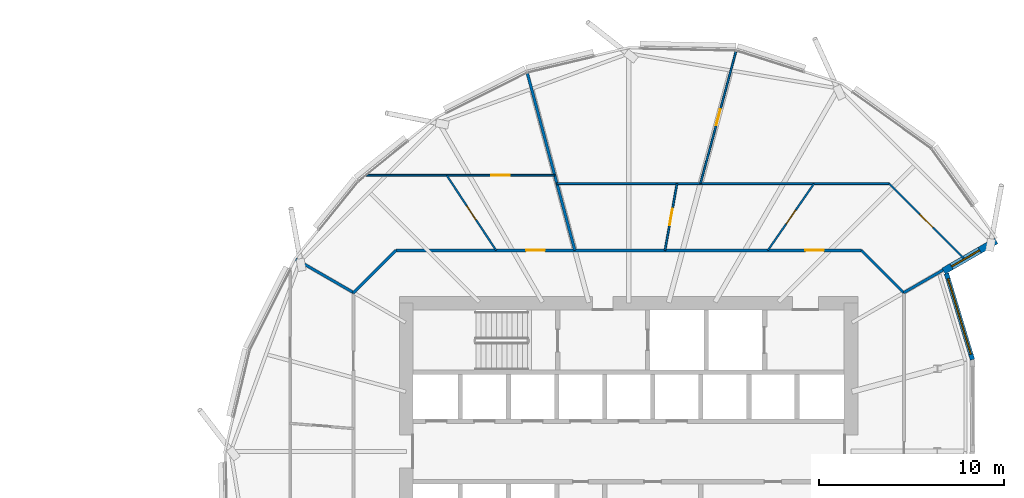
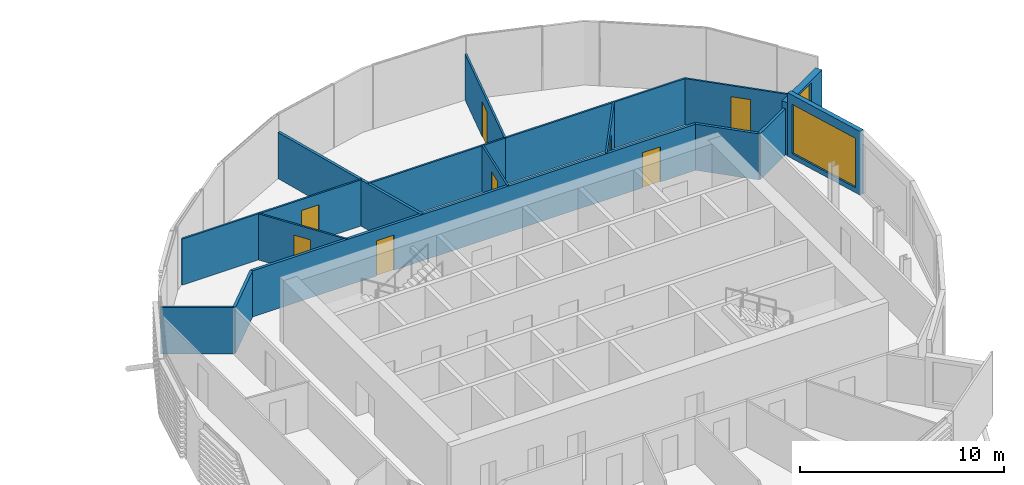
# One storey, part 25 of 38: 16 walls, 8 doors, 2 windows, 10 openings.
"""IFC4 building model written with IfcOpenShell, lengths in metres."""

import ifcopenshell
import ifcopenshell.guid

model = None  # the IFC model being written
_history = None  # IfcOwnerHistory: only IFC2X3 demands one
_inside = {}  # id of a spatial element -> (the spatial element, [elements in it])
_under = {}  # id of a project, library or spatial element -> (it, [spatial elements below it])
_declared = {}  # id of a project -> (the project, [libraries it declares])
_typed = {}  # id of a type object -> (the type object, [elements of that type])
_made_of = {}  # id of a material, layer set ... -> (it, [elements and type objects made of it])


def new_model(schema):
    """Start an empty IFC model of exactly this schema.

    Asked for "IFC4X3", IfcOpenShell would pick the latest addendum, in which some entities
    have other attributes; the version numbers below select the first issue.
    IFC2X3 requires an IfcOwnerHistory on every rooted entity: one is made here for all.
    """
    global model, _history
    if schema == "IFC4X3":
        model = ifcopenshell.file(schema_version=(4, 3, 0, 0))
    else:
        model = ifcopenshell.file(schema=schema)
    _inside.clear()
    _under.clear()
    _declared.clear()
    _typed.clear()
    _made_of.clear()
    _history = None
    if model.schema == "IFC2X3":
        org = make("IfcOrganization", Name="unknown")
        user = make(
            "IfcPersonAndOrganization",
            ThePerson=make("IfcPerson", FamilyName="unknown"),
            TheOrganization=org,
        )
        app = make(
            "IfcApplication",
            ApplicationDeveloper=org,
            Version="unknown",
            ApplicationFullName="unknown",
            ApplicationIdentifier="unknown",
        )
        _history = make(
            "IfcOwnerHistory",
            OwningUser=user,
            OwningApplication=app,
            ChangeAction="ADDED",
            CreationDate=0,
        )
    return model


def make(cls, **values):
    """One entity of the class cls with the attributes given. An attribute that is None is left unset."""
    return model.create_entity(
        cls, **{name: value for name, value in values.items() if value is not None}
    )


def rooted(cls, **values):
    """An entity with a GlobalId (a new one), such as an element, a storey or a relation."""
    return make(cls, GlobalId=ifcopenshell.guid.new(), OwnerHistory=_history, **values)


def si_unit(unit_type, name, prefix=None):
    """IfcSIUnit, for example si_unit("LENGTHUNIT", "METRE", prefix="MILLI")."""
    return make("IfcSIUnit", UnitType=unit_type, Prefix=prefix, Name=name)


def assignment(units):
    """IfcUnitAssignment: the units of a project."""
    return None if units is None else make("IfcUnitAssignment", Units=units)


def point(xyz):
    """IfcCartesianPoint."""
    return None if xyz is None else make("IfcCartesianPoint", Coordinates=xyz)


def direction(xyz):
    """IfcDirection."""
    return None if xyz is None else make("IfcDirection", DirectionRatios=xyz)


def frame(location, z_axis=None, x_axis=None):
    """IfcAxis2Placement3D, a coordinate frame: its origin and axes. An axis left out is left unset."""
    return make(
        "IfcAxis2Placement3D",
        Location=point(location),
        Axis=direction(z_axis),
        RefDirection=direction(x_axis),
    )


def frame_2d(location, x_axis=None):
    """IfcAxis2Placement2D, a coordinate frame in the plane: its origin and x axis."""
    return make(
        "IfcAxis2Placement2D", Location=point(location), RefDirection=direction(x_axis)
    )


def origin():
    """The frame at (0, 0, 0) with its axes left unset."""
    return frame((0.0, 0.0, 0.0))


def place(relative_to, where):
    """IfcLocalPlacement: puts the frame where relative to a parent placement (None: the world)."""
    return make(
        "IfcLocalPlacement", PlacementRelTo=relative_to, RelativePlacement=where
    )


def context(
    kind, dimensions, precision=None, world=None, true_north=None, identifier=None
):
    """IfcGeometricRepresentationContext, for example the 3D "Model" context."""
    return make(
        "IfcGeometricRepresentationContext",
        ContextIdentifier=identifier,
        ContextType=kind,
        CoordinateSpaceDimension=dimensions,
        Precision=precision,
        WorldCoordinateSystem=world,
        TrueNorth=true_north,
    )


def subcontext(parent, identifier, kind, view, scale=None):
    """IfcGeometricRepresentationSubContext, for example "Body" below "Model"."""
    return make(
        "IfcGeometricRepresentationSubContext",
        ContextIdentifier=identifier,
        ContextType=kind,
        ParentContext=parent,
        TargetScale=scale,
        TargetView=view,
    )


def project(units=None, contexts=None):
    """IfcProject with its units and contexts."""
    return rooted(
        "IfcProject",
        Name="project",
        RepresentationContexts=contexts,
        UnitsInContext=assignment(units),
    )


def spatial(cls, under=None, at=None, **own):
    """A site, building, storey or space (cls), placed at a placement, below another one or the project."""
    s = rooted(cls, ObjectPlacement=at, **own)
    if under is not None:
        _under.setdefault(under.id(), (under, []))[1].append(s)
    return s


def profile(cls, at=None, kind="AREA", **sizes):
    """A parametric profile (cls). Its sizes go by their IFC names, for example OverallWidth=200.0."""
    return make(cls, ProfileType=kind, Position=at, **sizes)


def rectangle(**sizes):
    """IfcRectangleProfileDef."""
    return profile("IfcRectangleProfileDef", **sizes)


def extrude(swept, where, along, depth):
    """IfcExtrudedAreaSolid: the profile swept, set in the frame where, extruded along a direction by depth."""
    return make(
        "IfcExtrudedAreaSolid",
        SweptArea=swept,
        Position=where,
        ExtrudedDirection=direction(along),
        Depth=depth,
    )


def shape(context_of_items, identifier, shape_type, items):
    """IfcShapeRepresentation: the items that make up one representation, for example the "Body"."""
    return make(
        "IfcShapeRepresentation",
        ContextOfItems=context_of_items,
        RepresentationIdentifier=identifier,
        RepresentationType=shape_type,
        Items=items,
    )


def material(Name=None, Category=None):
    """IfcMaterial."""
    return make("IfcMaterial", Name=Name, Category=Category)


def layer(
    of_material, thickness, ventilated=None, Name=None, Category=None, Priority=None
):
    """IfcMaterialLayer: one layer of a wall or slab, of a material (None: an air gap)."""
    return make(
        "IfcMaterialLayer",
        Material=of_material,
        LayerThickness=thickness,
        IsVentilated=ventilated,
        Name=Name,
        Category=Category,
        Priority=Priority,
    )


def layer_set(layers, Name=None):
    """IfcMaterialLayerSet."""
    return make("IfcMaterialLayerSet", MaterialLayers=layers, LayerSetName=Name)


def made_of(thing, what):
    """Note that an element or type object is made of a material, layer set ...; save() writes the relation."""
    if what is not None:
        _made_of.setdefault(what.id(), (what, []))[1].append(thing)
    return thing


def type_object(cls, material=None, **own):
    """A type object (cls), such as IfcWallType, which elements share."""
    return made_of(rooted(cls, **own), material)


def element(
    cls,
    number,
    at=None,
    inside=None,
    cuts=None,
    type_object=None,
    material=None,
    context=None,
    identifier="Body",
    shape_type=None,
    held_by="IfcProductDefinitionShape",
    body=None,
    shapes=None,
    **own,
):
    """One element of the class cls, such as IfcWall. Its Tag is "e" and its number.

    at: its placement. inside: the storey or other place that contains it. cuts: it is an
    opening in that element (IfcRelVoidsElement). A single representation is given by context,
    identifier, shape_type and body (its items); several are given by shapes. held_by: the class
    of the entity that holds the representations. save() writes the other relations.
    """
    e = rooted(cls, Tag="e%d" % number, ObjectPlacement=at, **own)
    if body is not None:
        shapes = [shape(context, identifier, shape_type, body)]
    if shapes is not None:
        e.Representation = make(held_by, Representations=shapes)
    if inside is not None:
        _inside.setdefault(inside.id(), (inside, []))[1].append(e)
    if cuts is not None:
        rooted(
            "IfcRelVoidsElement", RelatingBuildingElement=cuts, RelatedOpeningElement=e
        )
    if type_object is not None:
        _typed.setdefault(type_object.id(), (type_object, []))[1].append(e)
    return made_of(e, material)


def fill(opening, filler):
    """IfcRelFillsElement: the door or window that sits in an opening."""
    return rooted(
        "IfcRelFillsElement",
        RelatingOpeningElement=opening,
        RelatedBuildingElement=filler,
    )


def aggregate(whole, parts):
    """IfcRelAggregates: a whole, such as a stair, and the parts it consists of."""
    return rooted("IfcRelAggregates", RelatingObject=whole, RelatedObjects=parts)


def save(model, path):
    """Write the relations noted so far, then the file.

    IfcRelAggregates (storeys below a building ...), IfcRelContainedInSpatialStructure (elements
    in a storey), IfcRelDefinesByType, IfcRelAssociatesMaterial and IfcRelDeclares: one each for
    every whole, place, type object, material and project.
    """
    for whole, parts in _under.values():
        aggregate(whole, parts)
    for where, things in _inside.values():
        rooted(
            "IfcRelContainedInSpatialStructure",
            RelatedElements=things,
            RelatingStructure=where,
        )
    for kind, things in _typed.values():
        rooted("IfcRelDefinesByType", RelatedObjects=things, RelatingType=kind)
    for what, things in _made_of.values():
        rooted("IfcRelAssociatesMaterial", RelatedObjects=things, RelatingMaterial=what)
    for by, libraries in _declared.values():
        rooted("IfcRelDeclares", RelatingContext=by, RelatedDefinitions=libraries)
    model.write(path)


model = new_model("IFC4")

# Units and contexts
model_context = context("Model", 3, precision=1e-05, world=origin(), true_north=direction((0.0, 1.0)))
body_context = subcontext(model_context, "Body", "Model", "MODEL_VIEW")
ifc_project = project(units=[si_unit("LENGTHUNIT", "METRE"), si_unit("AREAUNIT", "SQUARE_METRE"), si_unit("VOLUMEUNIT", "CUBIC_METRE"), si_unit("PLANEANGLEUNIT", "RADIAN"), si_unit("MASSUNIT", "GRAM", prefix="KILO")], contexts=[model_context])

# Site, building, storey
site_placement = place(None, origin())
site = spatial("IfcSite", under=ifc_project, at=site_placement, CompositionType="ELEMENT")
building_placement = place(site_placement, origin())
building = spatial("IfcBuilding", under=site, at=building_placement, Name="Rimbun Link Towers", CompositionType="ELEMENT")
storey_placement = place(building_placement, frame((0.0, 0.0, 123.39990234375)))
storey = spatial("IfcBuildingStorey", under=building, at=storey_placement, Name="L30", CompositionType="ELEMENT", Elevation=123.39990234375)

# Wall, opening, window
ifc_material_1 = material(Name="Dark enamelled glass spandrel on insulated aluminium backpan", Category="aluminium")
ifc_layer_1 = layer(ifc_material_1, 0.25)
ifc_layer_set_1 = layer_set([ifc_layer_1], Name="CS dark enamelled spandrel wall 250")
wall_type_1 = type_object("IfcWallType", Name="CS dark enamelled spandrel wall 250", PredefinedType="STANDARD", material=ifc_layer_set_1)
wall_1_placement = place(storey_placement, frame((48.889404296875, 9.606689453125, 0.0), z_axis=(0.0, 0.0, 1.0), x_axis=(0.289338123509, -0.957226958607, 0.0)))
wall_1 = element("IfcWall", 1, at=wall_1_placement, inside=storey, type_object=wall_type_1, Name="Crease spandrel wall", PredefinedType="STANDARD", context=body_context, shape_type="SweptSolid", body=[
    extrude(rectangle(XDim=4.8603515625, YDim=0.25, at=frame_2d((2.43017578125, 0.0))), origin(), (0.0, 0.0, 1.0), 3.800048828125),
])
opening_1_placement = place(wall_1_placement, frame((0.30517578125, 0.0, 0.300048828125)))
opening_1 = element("IfcOpeningElement", 2, at=opening_1_placement, cuts=wall_1, Name="Opening WR42H295", PredefinedType="OPENING", context=body_context, shape_type="SweptSolid", body=[
    extrude(rectangle(XDim=4.25, YDim=2.949951171875, at=frame_2d((2.125, 1.47509765625))), frame((0.0, 0.135009765625, 0.0), z_axis=(0.0, -1.0, 0.0), x_axis=(1.0, 0.0, 0.0)), (0.0, 0.0, 1.0), 0.27001953125),
])
ifc_material_2 = material(Name="Aluminium framed fixed window, dark tinted low-e glass", Category="aluminium")
window_type_1 = type_object("IfcWindowType", Name="WR ribbon window 4250X2950", PartitioningType="SINGLE_PANEL", PredefinedType="WINDOW", material=ifc_material_2)
window_1_placement = place(opening_1_placement, origin())
window_1 = element("IfcWindow", 3, at=window_1_placement, inside=storey, type_object=window_type_1, Name="Crease ribbon window", OverallHeight=2.949951171875, OverallWidth=4.25, PartitioningType="SINGLE_PANEL", PredefinedType="WINDOW", context=body_context, shape_type="SweptSolid", body=[
    extrude(rectangle(XDim=4.25, YDim=2.949951171875, at=frame_2d((2.125, 1.47509765625))), frame((0.0, 0.030029296875, 0.0), z_axis=(0.0, -1.0, 0.0), x_axis=(1.0, 0.0, 0.0)), (0.0, 0.0, 1.0), 0.06005859375),
])
fill(opening_1, window_1)

ifc_material_3 = material(Name="Dark enamelled glass spandrel on insulated aluminium backpan", Category="aluminium")
ifc_layer_2 = layer(ifc_material_3, 0.3701171875)
ifc_layer_set_2 = layer_set([ifc_layer_2], Name="CS dark enamelled spandrel wall 370")
wall_type_2 = type_object("IfcWallType", Name="CS dark enamelled spandrel wall 370", PredefinedType="STANDARD", material=ifc_layer_set_2)
wall_2_placement = place(storey_placement, frame((51.5771484375, 11.3720703125, 0.0), z_axis=(0.0, 0.0, 1.0), x_axis=(-0.866040564224, -0.499973740429, 0.0)))
wall_2 = element("IfcWall", 4, at=wall_2_placement, inside=storey, type_object=wall_type_2, Name="Crease spandrel wall", PredefinedType="STANDARD", context=body_context, shape_type="SweptSolid", body=[
    extrude(rectangle(XDim=3.280029296875, YDim=0.3701171875, at=frame_2d((1.64013671875, 0.0))), origin(), (0.0, 0.0, 1.0), 3.15673828125),
])
opening_2_placement = place(wall_2_placement, frame((1.03369140625, 0.0, 0.300048828125)))
opening_2 = element("IfcOpeningElement", 5, at=opening_2_placement, cuts=wall_2, Name="Opening WR18H270", PredefinedType="OPENING", context=body_context, shape_type="SweptSolid", body=[
    extrude(rectangle(XDim=1.75, YDim=2.699951171875, at=frame_2d((0.875, 1.35009765625))), frame((0.0, 0.195068359375, 0.0), z_axis=(0.0, -1.0, 0.0), x_axis=(1.0, 0.0, 0.0)), (0.0, 0.0, 1.0), 0.39013671875),
])
ifc_material_4 = material(Name="Aluminium framed fixed window, dark tinted low-e glass", Category="aluminium")
window_type_2 = type_object("IfcWindowType", Name="WR ribbon window 1750X2700", PartitioningType="SINGLE_PANEL", PredefinedType="WINDOW", material=ifc_material_4)
window_2_placement = place(opening_2_placement, origin())
window_2 = element("IfcWindow", 6, at=window_2_placement, inside=storey, type_object=window_type_2, Name="Crease ribbon window", OverallHeight=2.699951171875, OverallWidth=1.75, PartitioningType="SINGLE_PANEL", PredefinedType="WINDOW", context=body_context, shape_type="SweptSolid", body=[
    extrude(rectangle(XDim=1.75, YDim=2.699951171875, at=frame_2d((0.875, 1.35009765625))), frame((0.0, 0.030029296875, 0.0), z_axis=(0.0, -1.0, 0.0), x_axis=(1.0, 0.0, 0.0)), (0.0, 0.0, 1.0), 0.06005859375),
])
fill(opening_2, window_2)

# Wall, openings, doors
ifc_material_5 = material(Name="Plasterboard on steel stud, mineral wool", Category="steel")
ifc_layer_3 = layer(ifc_material_5, 0.14990234375)
ifc_layer_set_3 = layer_set([ifc_layer_3], Name="Corridor wall EI 30 150 mm")
wall_type_3 = type_object("IfcWallType", Name="Corridor wall EI 30 150 mm", PredefinedType="PARTITIONING", material=ifc_layer_set_3)
wall_3_placement = place(storey_placement, frame((19.1982421875, 10.85009765625, 0.0), z_axis=(0.0, 0.0, 1.0), x_axis=(1.0, 0.0, 0.0)))
wall_3 = element("IfcWall", 7, at=wall_3_placement, inside=storey, type_object=wall_type_3, Name="Corridor wall EI 30 150 mm", PredefinedType="PARTITIONING", context=body_context, shape_type="SweptSolid", body=[
    extrude(rectangle(XDim=25.103515625, YDim=0.14990234375, at=frame_2d((12.5517578125, 0.0))), origin(), (0.0, 0.0, 1.0), 2.759033203125),
])
opening_3_placement = place(wall_3_placement, frame((22.0810546875, 0.0, 0.0)))
opening_3 = element("IfcOpeningElement", 8, at=opening_3_placement, cuts=wall_3, Name="Opening D01", PredefinedType="OPENING", context=body_context, shape_type="SweptSolid", body=[
    extrude(rectangle(XDim=1.0, YDim=2.10009765625, at=frame_2d((0.5, 1.050048828125))), frame((0.0, 0.0849609375, 0.0), z_axis=(0.0, -1.0, 0.0), x_axis=(1.0, 0.0, 0.0)), (0.0, 0.0, 1.0), 0.169921875),
])
opening_4_placement = place(wall_3_placement, frame((7.02197265625, 0.0, 0.0)))
opening_4 = element("IfcOpeningElement", 9, at=opening_4_placement, cuts=wall_3, Name="Opening D01", PredefinedType="OPENING", context=body_context, shape_type="SweptSolid", body=[
    extrude(rectangle(XDim=1.0, YDim=2.10009765625, at=frame_2d((0.5, 1.050048828125))), frame((0.0, 0.0849609375, 0.0), z_axis=(0.0, -1.0, 0.0), x_axis=(1.0, 0.0, 0.0)), (0.0, 0.0, 1.0), 0.169921875),
])
ifc_material_6 = material(Name="Fire-resisting timber door leaf", Category="wood")
door_type_1 = type_object("IfcDoorType", Name="Fire door FD30S 1000", OperationType="NOTDEFINED", PredefinedType="DOOR", material=ifc_material_6)
door_1_placement = place(opening_3_placement, origin())
door_1 = element("IfcDoor", 10, at=door_1_placement, inside=storey, type_object=door_type_1, Name="Fire door FD30S 1000 to Reception", OperationType="SINGLE_SWING_LEFT", OverallHeight=2.10009765625, OverallWidth=1.0, PredefinedType="DOOR", context=body_context, shape_type="SweptSolid", body=[
    extrude(rectangle(XDim=1.0, YDim=2.10009765625, at=frame_2d((0.5, 1.050048828125))), frame((0.0, 0.02490234375, 0.0), z_axis=(0.0, -1.0, 0.0), x_axis=(1.0, 0.0, 0.0)), (0.0, 0.0, 1.0), 0.050048828125),
])
fill(opening_3, door_1)
door_2_placement = place(opening_4_placement, origin())
door_2 = element("IfcDoor", 11, at=door_2_placement, inside=storey, type_object=door_type_1, Name="Fire door FD30S 1000 to Reception", OperationType="SINGLE_SWING_RIGHT", OverallHeight=2.10009765625, OverallWidth=1.0, PredefinedType="DOOR", context=body_context, shape_type="SweptSolid", body=[
    extrude(rectangle(XDim=1.0, YDim=2.10009765625, at=frame_2d((0.5, 1.050048828125))), frame((0.0, 0.02490234375, 0.0), z_axis=(0.0, -1.0, 0.0), x_axis=(1.0, 0.0, 0.0)), (0.0, 0.0, 1.0), 0.050048828125),
])
fill(opening_4, door_2)

# Walls
for number, where, z_axis, x_axis, name in (
    (12, (46.60009765625, 8.5517578125, 0.0), (0.0, 0.0, 1.0), (-0.707106781187, 0.707106781187, 0.0), "Corridor wall EI 30 150 mm"),
    (13, (19.1982421875, 10.85009765625, 0.0), (0.0, 0.0, 1.0), (-0.707106781187, -0.707106781187, 0.0), "Corridor wall EI 30 150 mm"),
):
    element("IfcWall", number, at=place(storey_placement, frame(where, z_axis=z_axis, x_axis=x_axis)), inside=storey, type_object=wall_type_3, Name=name, PredefinedType="PARTITIONING", context=body_context, shape_type="SweptSolid", body=[
        extrude(rectangle(XDim=3.250244140625, YDim=0.14990234375, at=frame_2d((1.625, 0.0))), origin(), (0.0, 0.0, 1.0), 2.759033203125),
    ])

# Wall, opening, door
ifc_material_7 = material(Name="Plasterboard on steel stud", Category="steel")
ifc_layer_4 = layer(ifc_material_7, 0.10009765625)
ifc_layer_set_4 = layer_set([ifc_layer_4], Name="Plasterboard partition 100 mm")
wall_type_4 = type_object("IfcWallType", Name="Plasterboard partition 100 mm", PredefinedType="PARTITIONING", material=ifc_layer_set_4)
wall_4_placement = place(storey_placement, frame((39.257080078125, 10.85009765625, 0.0), z_axis=(0.0, 0.0, 1.0), x_axis=(0.569018561691, 0.822324678245, 0.0)))
wall_4 = element("IfcWall", 14, at=wall_4_placement, inside=storey, type_object=wall_type_4, Name="Plasterboard partition 100 mm", PredefinedType="PARTITIONING", context=body_context, shape_type="SweptSolid", body=[
    extrude(rectangle(XDim=4.377685546875, YDim=0.10009765625, at=frame_2d((2.18896484375, 0.0))), origin(), (0.0, 0.0, 1.0), 2.759033203125),
])
opening_5_placement = place(wall_4_placement, frame((1.73876953125, 0.0, 0.0)))
opening_5 = element("IfcOpeningElement", 15, at=opening_5_placement, cuts=wall_4, Name="Opening D04", PredefinedType="OPENING", context=body_context, shape_type="SweptSolid", body=[
    extrude(rectangle(XDim=0.89990234375, YDim=2.10009765625, at=frame_2d((0.449951171875, 1.050048828125))), frame((0.0, 0.06005859375, 0.0), z_axis=(0.0, -1.0, 0.0), x_axis=(1.0, 0.0, 0.0)), (0.0, 0.0, 1.0), 0.1201171875),
])
ifc_material_8 = material(Name="Timber door leaf", Category="wood")
door_type_2 = type_object("IfcDoorType", Name="Flush door 900", OperationType="NOTDEFINED", PredefinedType="DOOR", material=ifc_material_8)
door_3_placement = place(opening_5_placement, origin())
door_3 = element("IfcDoor", 16, at=door_3_placement, inside=storey, type_object=door_type_2, Name="Flush door 900 to Meeting room", OperationType="SINGLE_SWING_RIGHT", OverallHeight=2.10009765625, OverallWidth=0.89990234375, PredefinedType="DOOR", context=body_context, shape_type="SweptSolid", body=[
    extrude(rectangle(XDim=0.89990234375, YDim=2.10009765625, at=frame_2d((0.449951171875, 1.050048828125))), frame((0.0, 0.02490234375, 0.0), z_axis=(0.0, -1.0, 0.0), x_axis=(1.0, 0.0, 0.0)), (0.0, 0.0, 1.0), 0.050048828125),
])
fill(opening_5, door_3)

wall_5_placement = place(storey_placement, frame((45.792724609375, 14.449951171875, 0.0), z_axis=(0.0, 0.0, 1.0), x_axis=(0.707128248021, -0.707085313701, 0.0)))
wall_5 = element("IfcWall", 17, at=wall_5_placement, inside=storey, type_object=wall_type_4, Name="Plasterboard partition 100 mm", PredefinedType="PARTITIONING", context=body_context, shape_type="SweptSolid", body=[
    extrude(rectangle(XDim=5.686279296875, YDim=0.10009765625, at=frame_2d((2.84326171875, 0.0))), origin(), (0.0, 0.0, 1.0), 2.759033203125),
])
opening_6_placement = place(wall_5_placement, frame((2.34326171875, 0.0, 0.0)))
opening_6 = element("IfcOpeningElement", 18, at=opening_6_placement, cuts=wall_5, Name="Opening D03", PredefinedType="OPENING", context=body_context, shape_type="SweptSolid", body=[
    extrude(rectangle(XDim=1.0, YDim=2.10009765625, at=frame_2d((0.5, 1.050048828125))), frame((0.0, 0.06005859375, 0.0), z_axis=(0.0, -1.0, 0.0), x_axis=(1.0, 0.0, 0.0)), (0.0, 0.0, 1.0), 0.1201171875),
])
ifc_material_9 = material(Name="Timber door leaf", Category="wood")
door_type_3 = type_object("IfcDoorType", Name="Flush door 1000", OperationType="NOTDEFINED", PredefinedType="DOOR", material=ifc_material_9)
door_4_placement = place(opening_6_placement, origin())
door_4 = element("IfcDoor", 19, at=door_4_placement, inside=storey, type_object=door_type_3, Name="Flush door 1000 to Co-working space", OperationType="SINGLE_SWING_LEFT", OverallHeight=2.10009765625, OverallWidth=1.0, PredefinedType="DOOR", context=body_context, shape_type="SweptSolid", body=[
    extrude(rectangle(XDim=1.0, YDim=2.10009765625, at=frame_2d((0.5, 1.050048828125))), frame((0.0, 0.02490234375, 0.0), z_axis=(0.0, -1.0, 0.0), x_axis=(1.0, 0.0, 0.0)), (0.0, 0.0, 1.0), 0.050048828125),
])
fill(opening_6, door_4)

# Wall
wall_6_placement = place(storey_placement, frame((45.792724609375, 14.449951171875, 0.0), z_axis=(0.0, 0.0, 1.0), x_axis=(-1.0, 0.0, 0.0)))
element("IfcWall", 20, at=wall_6_placement, inside=storey, type_object=wall_type_4, Name="Plasterboard partition 100 mm", PredefinedType="PARTITIONING", context=body_context, shape_type="SweptSolid", body=[
    extrude(rectangle(XDim=10.1708984375, YDim=0.10009765625, at=frame_2d((5.08544921875, 0.0))), origin(), (0.0, 0.0, 1.0), 2.759033203125),
])

# Wall, opening, door
wall_7_placement = place(storey_placement, frame((33.7060546875, 10.85009765625, 0.0), z_axis=(0.0, 0.0, 1.0), x_axis=(0.177405124401, 0.984137907936, 0.0)))
wall_7 = element("IfcWall", 21, at=wall_7_placement, inside=storey, type_object=wall_type_4, Name="Plasterboard partition 100 mm", PredefinedType="PARTITIONING", context=body_context, shape_type="SweptSolid", body=[
    extrude(rectangle(XDim=3.657958984375, YDim=0.10009765625, at=frame_2d((1.8291015625, 0.0))), origin(), (0.0, 0.0, 1.0), 2.759033203125),
])
opening_7_placement = place(wall_7_placement, frame((1.37890625, 0.0, 0.0)))
opening_7 = element("IfcOpeningElement", 22, at=opening_7_placement, cuts=wall_7, Name="Opening D04", PredefinedType="OPENING", context=body_context, shape_type="SweptSolid", body=[
    extrude(rectangle(XDim=0.89990234375, YDim=2.10009765625, at=frame_2d((0.449951171875, 1.050048828125))), frame((0.0, 0.06005859375, 0.0), z_axis=(0.0, -1.0, 0.0), x_axis=(1.0, 0.0, 0.0)), (0.0, 0.0, 1.0), 0.1201171875),
])
door_5_placement = place(opening_7_placement, origin())
door_5 = element("IfcDoor", 23, at=door_5_placement, inside=storey, type_object=door_type_2, Name="Flush door 900 to Pantry", OperationType="SINGLE_SWING_RIGHT", OverallHeight=2.10009765625, OverallWidth=0.89990234375, PredefinedType="DOOR", context=body_context, shape_type="SweptSolid", body=[
    extrude(rectangle(XDim=0.89990234375, YDim=2.10009765625, at=frame_2d((0.449951171875, 1.050048828125))), frame((0.0, 0.02490234375, 0.0), z_axis=(0.0, -1.0, 0.0), x_axis=(1.0, 0.0, 0.0)), (0.0, 0.0, 1.0), 0.050048828125),
])
fill(opening_7, door_5)

# Wall
wall_8_placement = place(storey_placement, frame((35.621826171875, 14.449951171875, 0.0), z_axis=(0.0, 0.0, 1.0), x_axis=(-1.0, 0.0, 0.0)))
element("IfcWall", 24, at=wall_8_placement, inside=storey, type_object=wall_type_4, Name="Plasterboard partition 100 mm", PredefinedType="PARTITIONING", context=body_context, shape_type="SweptSolid", body=[
    extrude(rectangle(XDim=7.74365234375, YDim=0.10009765625, at=frame_2d((3.871826171875, 0.0))), origin(), (0.0, 0.0, 1.0), 2.759033203125),
])

# Wall, opening, door
wall_9_placement = place(storey_placement, frame((35.621826171875, 14.449951171875, 0.0), z_axis=(0.0, 0.0, 1.0), x_axis=(0.258802500484, 0.965930259254, 0.0)))
wall_9 = element("IfcWall", 25, at=wall_9_placement, inside=storey, type_object=wall_type_4, Name="Plasterboard partition 100 mm", PredefinedType="PARTITIONING", context=body_context, shape_type="SweptSolid", body=[
    extrude(rectangle(XDim=7.410888671875, YDim=0.10009765625, at=frame_2d((3.70556640625, 0.0))), origin(), (0.0, 0.0, 1.0), 2.759033203125),
])
opening_8_placement = place(wall_9_placement, frame((3.25537109375, 0.0, 0.0)))
opening_8 = element("IfcOpeningElement", 26, at=opening_8_placement, cuts=wall_9, Name="Opening D04", PredefinedType="OPENING", context=body_context, shape_type="SweptSolid", body=[
    extrude(rectangle(XDim=0.89990234375, YDim=2.10009765625, at=frame_2d((0.449951171875, 1.050048828125))), frame((0.0, 0.06005859375, 0.0), z_axis=(0.0, -1.0, 0.0), x_axis=(1.0, 0.0, 0.0)), (0.0, 0.0, 1.0), 0.1201171875),
])
door_6_placement = place(opening_8_placement, origin())
door_6 = element("IfcDoor", 27, at=door_6_placement, inside=storey, type_object=door_type_2, Name="Flush door 900 to Serviced office", OperationType="SINGLE_SWING_RIGHT", OverallHeight=2.10009765625, OverallWidth=0.89990234375, PredefinedType="DOOR", context=body_context, shape_type="SweptSolid", body=[
    extrude(rectangle(XDim=0.89990234375, YDim=2.10009765625, at=frame_2d((0.449951171875, 1.050048828125))), frame((0.0, 0.02490234375, 0.0), z_axis=(0.0, -1.0, 0.0), x_axis=(1.0, 0.0, 0.0)), (0.0, 0.0, 1.0), 0.050048828125),
])
fill(opening_8, door_6)

wall_10_placement = place(storey_placement, frame((24.597900390625, 10.85009765625, 0.0), z_axis=(0.0, 0.0, 1.0), x_axis=(-0.550383539019, 0.834911947439, 0.0)))
wall_10 = element("IfcWall", 28, at=wall_10_placement, inside=storey, type_object=wall_type_4, Name="Plasterboard partition 100 mm", PredefinedType="PARTITIONING", context=body_context, shape_type="SweptSolid", body=[
    extrude(rectangle(XDim=4.8505859375, YDim=0.10009765625, at=frame_2d((2.42529296875, 0.0))), origin(), (0.0, 0.0, 1.0), 2.759033203125),
])
opening_9_placement = place(wall_10_placement, frame((1.975341796875, 0.0, 0.0)))
opening_9 = element("IfcOpeningElement", 29, at=opening_9_placement, cuts=wall_10, Name="Opening D04", PredefinedType="OPENING", context=body_context, shape_type="SweptSolid", body=[
    extrude(rectangle(XDim=0.89990234375, YDim=2.10009765625, at=frame_2d((0.449951171875, 1.050048828125))), frame((0.0, 0.06005859375, 0.0), z_axis=(0.0, -1.0, 0.0), x_axis=(1.0, 0.0, 0.0)), (0.0, 0.0, 1.0), 0.1201171875),
])
door_7_placement = place(opening_9_placement, origin())
door_7 = element("IfcDoor", 30, at=door_7_placement, inside=storey, type_object=door_type_2, Name="Flush door 900 to Pantry", OperationType="SINGLE_SWING_LEFT", OverallHeight=2.10009765625, OverallWidth=0.89990234375, PredefinedType="DOOR", context=body_context, shape_type="SweptSolid", body=[
    extrude(rectangle(XDim=0.89990234375, YDim=2.10009765625, at=frame_2d((0.449951171875, 1.050048828125))), frame((0.0, 0.02490234375, 0.0), z_axis=(0.0, -1.0, 0.0), x_axis=(1.0, 0.0, 0.0)), (0.0, 0.0, 1.0), 0.050048828125),
])
fill(opening_9, door_7)

wall_11_placement = place(storey_placement, frame((17.597412109375, 14.89990234375, 0.0), z_axis=(0.0, 0.0, 1.0), x_axis=(1.0, 0.0, 0.0)))
wall_11 = element("IfcWall", 31, at=wall_11_placement, inside=storey, type_object=wall_type_4, Name="Plasterboard partition 100 mm", PredefinedType="PARTITIONING", context=body_context, shape_type="SweptSolid", body=[
    extrude(rectangle(XDim=10.16015625, YDim=0.10009765625, at=frame_2d((5.080078125, 0.0))), origin(), (0.0, 0.0, 1.0), 2.759033203125),
])
opening_10_placement = place(wall_11_placement, frame((6.730712890625, 0.0, 0.0)))
opening_10 = element("IfcOpeningElement", 32, at=opening_10_placement, cuts=wall_11, Name="Opening D03", PredefinedType="OPENING", context=body_context, shape_type="SweptSolid", body=[
    extrude(rectangle(XDim=1.0, YDim=2.10009765625, at=frame_2d((0.5, 1.050048828125))), frame((0.0, 0.06005859375, 0.0), z_axis=(0.0, -1.0, 0.0), x_axis=(1.0, 0.0, 0.0)), (0.0, 0.0, 1.0), 0.1201171875),
])
door_8_placement = place(opening_10_placement, origin())
door_8 = element("IfcDoor", 33, at=door_8_placement, inside=storey, type_object=door_type_3, Name="Flush door 1000 to Boardroom", OperationType="SINGLE_SWING_RIGHT", OverallHeight=2.10009765625, OverallWidth=1.0, PredefinedType="DOOR", context=body_context, shape_type="SweptSolid", body=[
    extrude(rectangle(XDim=1.0, YDim=2.10009765625, at=frame_2d((0.5, 1.050048828125))), frame((0.0, 0.02490234375, 0.0), z_axis=(0.0, -1.0, 0.0), x_axis=(1.0, 0.0, 0.0)), (0.0, 0.0, 1.0), 0.050048828125),
])
fill(opening_10, door_8)

# Walls
ifc_material_10 = material(Name="Plasterboard on steel stud, mineral wool", Category="steel")
ifc_layer_5 = layer(ifc_material_10, 0.14990234375)
ifc_layer_set_5 = layer_set([ifc_layer_5], Name="Tenancy separation wall EI 60 150 mm")
wall_type_5 = type_object("IfcWallType", Name="Tenancy separation wall EI 60 150 mm", PredefinedType="PARTITIONING", material=ifc_layer_set_5)
wall_12_placement = place(storey_placement, frame((28.8427734375, 10.85009765625, 0.0), z_axis=(0.0, 0.0, 1.0), x_axis=(-0.258820238395, 0.965925506547, 0.0)))
element("IfcWall", 34, at=wall_12_placement, inside=storey, type_object=wall_type_5, Name="Tenancy separation wall EI 60 150 mm", PredefinedType="PARTITIONING", context=body_context, shape_type="SweptSolid", body=[
    extrude(rectangle(XDim=9.9091796875, YDim=0.14990234375, at=frame_2d((4.95458984375, 0.0))), origin(), (0.0, 0.0, 1.0), 2.759033203125),
])
wall_13_placement = place(storey_placement, frame((16.9140625, 8.565673828125, 0.0), z_axis=(0.0, 0.0, 1.0), x_axis=(-0.866049289354, 0.499958626698, 0.0)))
element("IfcWall", 35, at=wall_13_placement, inside=storey, type_object=wall_type_5, Name="Tenancy separation wall EI 60 150 mm", PredefinedType="PARTITIONING", context=body_context, shape_type="SweptSolid", body=[
    extrude(rectangle(XDim=3.609130859375, YDim=0.14990234375, at=frame_2d((1.8046875, 0.0))), origin(), (0.0, 0.0, 1.0), 2.759033203125),
])
wall_14_placement = place(storey_placement, frame((46.586181640625, 8.565673828125, 0.0), z_axis=(0.0, 0.0, 1.0), x_axis=(0.86604760459, 0.499961545105, 0.0)))
element("IfcWall", 36, at=wall_14_placement, inside=storey, type_object=wall_type_5, Name="Tenancy separation wall EI 60 150 mm", PredefinedType="PARTITIONING", context=body_context, shape_type="SweptSolid", body=[
    extrude(rectangle(XDim=2.445556640625, YDim=0.14990234375, at=frame_2d((1.22265625, 0.0))), origin(), (0.0, 0.0, 1.0), 2.759033203125),
])

save(model, "model.ifc")
